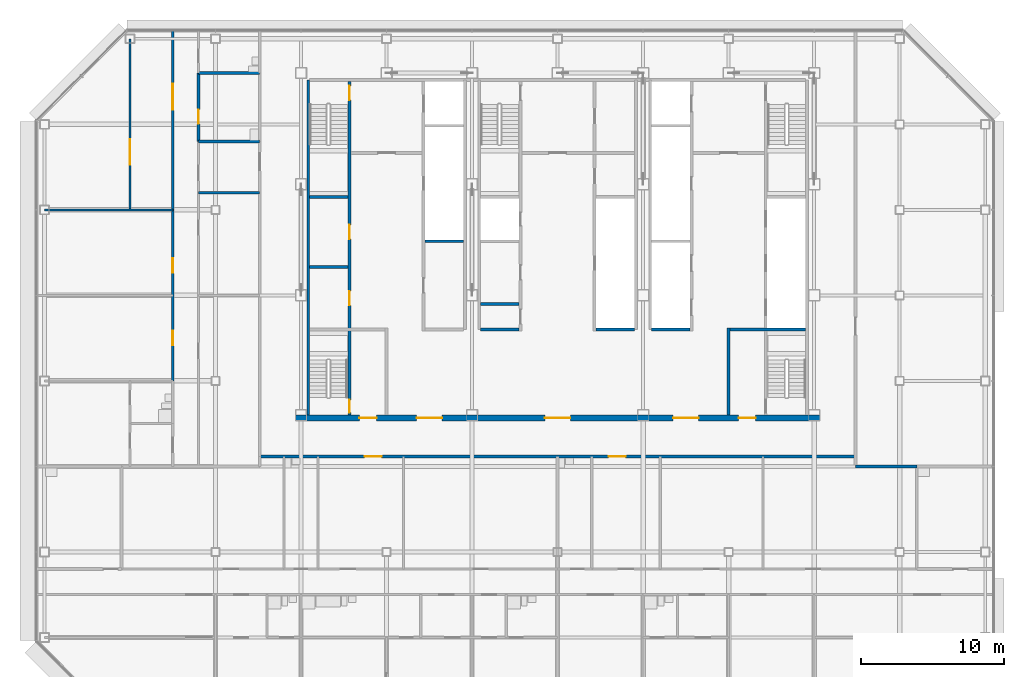
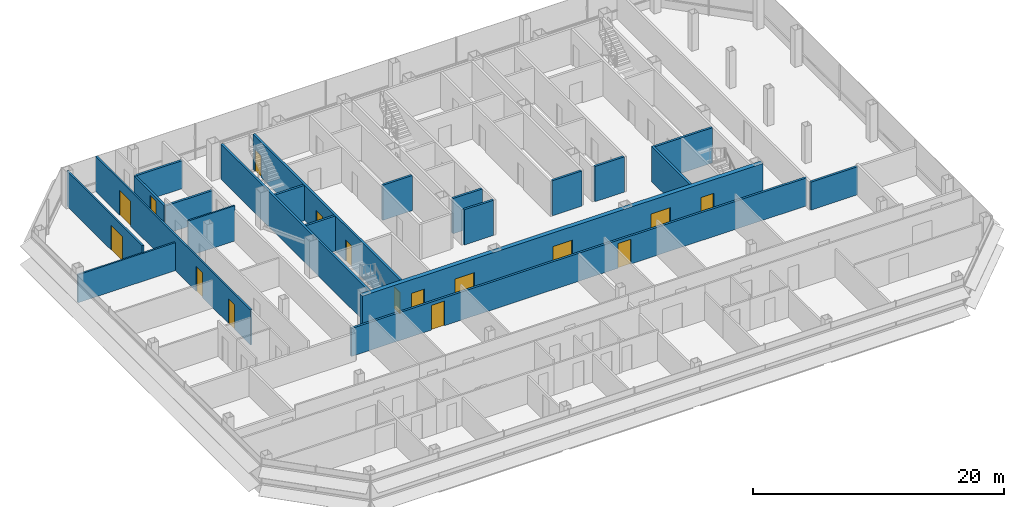
# One storey, part 22 of 27: 21 walls, 16 doors, 16 openings.
"""IFC4 building model written with IfcOpenShell, lengths in metres."""

from ifc_helpers import new_model, si_unit, direction, frame, frame_2d, origin, place, context, subcontext, project, spatial, rectangle, extrude, material, layer, layer_set, type_object, element, fill, save


model = new_model("IFC4")

# Units and contexts
model_context = context("Model", 3, precision=1e-05, world=origin(), true_north=direction((0.0, 1.0)))
body_context = subcontext(model_context, "Body", "Model", "MODEL_VIEW")
ifc_project = project(units=[si_unit("LENGTHUNIT", "METRE"), si_unit("AREAUNIT", "SQUARE_METRE"), si_unit("VOLUMEUNIT", "CUBIC_METRE"), si_unit("PLANEANGLEUNIT", "RADIAN"), si_unit("MASSUNIT", "GRAM", prefix="KILO")], contexts=[model_context])

# Site, building, storey
site_placement = place(None, origin())
site = spatial("IfcSite", under=ifc_project, at=site_placement, CompositionType="ELEMENT")
building_placement = place(site_placement, origin())
building = spatial("IfcBuilding", under=site, at=building_placement, Name="Sorahane Residences", CompositionType="ELEMENT")
storey_placement = place(building_placement, frame((0.0, 0.0, 226.199951171875)))
storey = spatial("IfcBuildingStorey", under=building, at=storey_placement, Name="L53", CompositionType="ELEMENT", Elevation=226.199951171875)

# Walls
ifc_material_1 = material(Name="Concrete C30", Category="concrete")
ifc_layer_1 = layer(ifc_material_1, 0.199951171875)
ifc_layer_set_1 = layer_set([ifc_layer_1], Name="Core face wall 200 EI 180")
wall_type_1 = type_object("IfcWallType", Name="Core face wall 200 EI 180", PredefinedType="SOLIDWALL", material=ifc_layer_set_1)
wall_1_placement = place(storey_placement, frame((6.5, 21.60009765625, 0.0), z_axis=(0.0, 0.0, 1.0), x_axis=(0.0, 1.0, 0.0)))
element("IfcWall", 1, at=wall_1_placement, inside=storey, type_object=wall_type_1, Name="L53 core face wall", PredefinedType="SOLIDWALL", context=body_context, shape_type="SweptSolid", body=[
    extrude(rectangle(XDim=23.5, YDim=0.199951171875, at=frame_2d((11.75, 0.0))), origin(), (0.0, 0.0, 1.0), 3.420166015625),
])
ifc_material_2 = material(Name="Concrete blockwork C20 wall", Category="masonry")
ifc_layer_2 = layer(ifc_material_2, 0.199951171875)
ifc_layer_set_2 = layer_set([ifc_layer_2], Name="Corridor wall 200 EI 120")
wall_type_2 = type_object("IfcWallType", Name="Corridor wall 200 EI 120", PredefinedType="SOLIDWALL", material=ifc_layer_set_2)
wall_2_placement = place(storey_placement, frame((44.89990234375, 18.0, 0.0), z_axis=(0.0, 0.0, 1.0), x_axis=(1.0, 0.0, 0.0)))
element("IfcWall", 2, at=wall_2_placement, inside=storey, type_object=wall_type_2, Name="L53 corridor wall", PredefinedType="SOLIDWALL", context=body_context, shape_type="SweptSolid", body=[
    extrude(rectangle(XDim=4.300048828125, YDim=0.199951171875, at=frame_2d((2.14990234375, 0.0))), origin(), (0.0, 0.0, 1.0), 2.719970703125),
])

# Wall, openings, doors
wall_3_placement = place(storey_placement, frame((3.10009765625, 18.699951171875, 0.0), z_axis=(0.0, 0.0, 1.0), x_axis=(1.0, 0.0, 0.0)))
wall_3 = element("IfcWall", 3, at=wall_3_placement, inside=storey, type_object=wall_type_2, Name="L53 corridor wall", PredefinedType="SOLIDWALL", context=body_context, shape_type="SweptSolid", body=[
    extrude(rectangle(XDim=41.7998046875, YDim=0.199951171875, at=frame_2d((20.89990234375, 0.0))), origin(), (0.0, 0.0, 1.0), 2.719970703125),
])
opening_1_placement = place(wall_3_placement, frame((7.360107421875, 0.0, 0.0)))
opening_1 = element("IfcOpeningElement", 4, at=opening_1_placement, cuts=wall_3, Name="Opening L53-42", PredefinedType="OPENING", context=body_context, shape_type="SweptSolid", body=[
    extrude(rectangle(XDim=1.199951171875, YDim=2.39990234375, at=frame_2d((0.60009765625, 1.199951171875))), frame((0.0, 0.10986328125, 0.0), z_axis=(0.0, -1.0, 0.0), x_axis=(1.0, 0.0, 0.0)), (0.0, 0.0, 1.0), 0.219970703125),
])
opening_2_placement = place(wall_3_placement, frame((24.47998046875, 0.0, 0.0)))
opening_2 = element("IfcOpeningElement", 5, at=opening_2_placement, cuts=wall_3, Name="Opening L53-43", PredefinedType="OPENING", context=body_context, shape_type="SweptSolid", body=[
    extrude(rectangle(XDim=1.199951171875, YDim=2.39990234375, at=frame_2d((0.60009765625, 1.199951171875))), frame((0.0, 0.10986328125, 0.0), z_axis=(0.0, -1.0, 0.0), x_axis=(1.0, 0.0, 0.0)), (0.0, 0.0, 1.0), 0.219970703125),
])
ifc_material_3 = material(Name="Timber veneered fire door", Category="wood")
door_type_1 = type_object("IfcDoorType", Name="Flat entrance door 1200x2400 FD60", OperationType="NOTDEFINED", PredefinedType="DOOR", material=ifc_material_3)
door_1_placement = place(opening_1_placement, frame((1.199951171875, 0.0, 0.0), z_axis=(0.0, 0.0, 1.0), x_axis=(-1.0, 0.0, 0.0)))
door_1 = element("IfcDoor", 6, at=door_1_placement, inside=storey, type_object=door_type_1, Name="Flat entrance door L53-42", OperationType="SINGLE_SWING_LEFT", OverallHeight=2.39990234375, OverallWidth=1.199951171875, PredefinedType="DOOR", context=body_context, shape_type="SweptSolid", body=[
    extrude(rectangle(XDim=1.199951171875, YDim=2.39990234375, at=frame_2d((0.60009765625, 1.199951171875))), frame((0.0, 0.02490234375, 0.0), z_axis=(0.0, -1.0, 0.0), x_axis=(1.0, 0.0, 0.0)), (0.0, 0.0, 1.0), 0.050048828125),
])
fill(opening_1, door_1)
door_2_placement = place(opening_2_placement, frame((1.199951171875, 0.0, 0.0), z_axis=(0.0, 0.0, 1.0), x_axis=(-1.0, 0.0, 0.0)))
door_2 = element("IfcDoor", 7, at=door_2_placement, inside=storey, type_object=door_type_1, Name="Flat entrance door L53-43", OperationType="SINGLE_SWING_RIGHT", OverallHeight=2.39990234375, OverallWidth=1.199951171875, PredefinedType="DOOR", context=body_context, shape_type="SweptSolid", body=[
    extrude(rectangle(XDim=1.199951171875, YDim=2.39990234375, at=frame_2d((0.60009765625, 1.199951171875))), frame((0.0, 0.02490234375, 0.0), z_axis=(0.0, -1.0, 0.0), x_axis=(1.0, 0.0, 0.0)), (0.0, 0.0, 1.0), 0.050048828125),
])
fill(opening_2, door_2)

# Wall
ifc_material_4 = material(Name="Concrete C30", Category="concrete")
ifc_layer_3 = layer(ifc_material_4, 0.199951171875)
ifc_layer_set_3 = layer_set([ifc_layer_3], Name="Front room wall 200 EI 120")
wall_type_3 = type_object("IfcWallType", Name="Front room wall 200 EI 120", PredefinedType="PARTITIONING", material=ifc_layer_set_3)
wall_4_placement = place(storey_placement, frame((36.0, 21.60009765625, 0.0), z_axis=(0.0, 0.0, 1.0), x_axis=(0.0, 1.0, 0.0)))
element("IfcWall", 8, at=wall_4_placement, inside=storey, type_object=wall_type_3, Name="L53 front room wall", PredefinedType="PARTITIONING", context=body_context, shape_type="SweptSolid", body=[
    extrude(rectangle(XDim=6.099853515625, YDim=0.199951171875, at=frame_2d((3.0498046875, 0.0))), origin(), (0.0, 0.0, 1.0), 3.420166015625),
])

# Wall, opening, door
ifc_material_5 = material(Name="Concrete blockwork C20 wall", Category="masonry")
ifc_layer_4 = layer(ifc_material_5, 0.199951171875)
ifc_layer_set_4 = layer_set([ifc_layer_4], Name="Kitchen wall 200 EI 180")
wall_type_4 = type_object("IfcWallType", Name="Kitchen wall 200 EI 180", PredefinedType="SOLIDWALL", material=ifc_layer_set_4)
wall_5_placement = place(storey_placement, frame((-1.199951171875, 40.800048828125, 0.0), z_axis=(0.0, 0.0, 1.0), x_axis=(0.0, 1.0, 0.0)))
wall_5 = element("IfcWall", 9, at=wall_5_placement, inside=storey, type_object=wall_type_4, Name="L53 kitchen wall", PredefinedType="SOLIDWALL", context=body_context, shape_type="SweptSolid", body=[
    extrude(rectangle(XDim=4.800048828125, YDim=0.199951171875, at=frame_2d((2.39990234375, 0.0))), origin(), (0.0, 0.0, 1.0), 2.719970703125),
])
opening_3_placement = place(wall_5_placement, frame((1.239990234375, 0.0, 0.0)))
opening_3 = element("IfcOpeningElement", 10, at=opening_3_placement, cuts=wall_5, Name="Opening L53-33", PredefinedType="OPENING", context=body_context, shape_type="SweptSolid", body=[
    extrude(rectangle(XDim=1.0, YDim=2.39990234375, at=frame_2d((0.5, 1.199951171875))), frame((0.0, 0.10986328125, 0.0), z_axis=(0.0, -1.0, 0.0), x_axis=(1.0, 0.0, 0.0)), (0.0, 0.0, 1.0), 0.219970703125),
])
ifc_material_6 = material(Name="Steel", Category="steel")
door_type_2 = type_object("IfcDoorType", Name="Kitchen door 1000x2400 FD120", OperationType="NOTDEFINED", PredefinedType="DOOR", material=ifc_material_6)
door_3_placement = place(opening_3_placement, frame((1.0, 0.0, 0.0), z_axis=(0.0, 0.0, 1.0), x_axis=(-1.0, 0.0, 0.0)))
door_3 = element("IfcDoor", 11, at=door_3_placement, inside=storey, type_object=door_type_2, Name="Kitchen door L53-33", OperationType="SINGLE_SWING_LEFT", OverallHeight=2.39990234375, OverallWidth=1.0, PredefinedType="DOOR", context=body_context, shape_type="SweptSolid", body=[
    extrude(rectangle(XDim=1.0, YDim=2.39990234375, at=frame_2d((0.5, 1.199951171875))), frame((0.0, 0.02490234375, 0.0), z_axis=(0.0, -1.0, 0.0), x_axis=(1.0, 0.0, 0.0)), (0.0, 0.0, 1.0), 0.050048828125),
])
fill(opening_3, door_3)

# Walls
for number, where, z_axis, x_axis, name in (
    (12, (-1.199951171875, 40.800048828125, 0.0), (0.0, 0.0, 1.0), (1.0, 0.0, 0.0), "L53 kitchen wall"),
    (13, (-1.199951171875, 45.60009765625, 0.0), (0.0, 0.0, 1.0), (1.0, 0.0, 0.0), "L53 kitchen wall"),
):
    element("IfcWall", number, at=place(storey_placement, frame(where, z_axis=z_axis, x_axis=x_axis)), inside=storey, type_object=wall_type_4, Name=name, PredefinedType="SOLIDWALL", context=body_context, shape_type="SweptSolid", body=[
        extrude(rectangle(XDim=4.300048828125, YDim=0.199951171875, at=frame_2d((2.14990234375, 0.0))), origin(), (0.0, 0.0, 1.0), 2.719970703125),
    ])
ifc_material_7 = material(Name="Concrete C30", Category="concrete")
ifc_layer_5 = layer(ifc_material_7, 0.199951171875)
ifc_layer_set_5 = layer_set([ifc_layer_5], Name="Lift shaft wall 200 EI 120")
wall_type_5 = type_object("IfcWallType", Name="Lift shaft wall 200 EI 120", PredefinedType="SOLIDWALL", material=ifc_layer_set_5)
wall_6_placement = place(storey_placement, frame((30.60009765625, 27.60009765625, 0.0), z_axis=(0.0, 0.0, 1.0), x_axis=(1.0, 0.0, 0.0)))
element("IfcWall", 14, at=wall_6_placement, inside=storey, type_object=wall_type_5, Name="L53 lift shaft wall", PredefinedType="SOLIDWALL", context=body_context, shape_type="SweptSolid", body=[
    extrude(rectangle(XDim=2.699951171875, YDim=0.199951171875, at=frame_2d((1.35009765625, 0.0))), origin(), (0.0, 0.0, 1.0), 3.420166015625),
])

# Wall, openings, doors
ifc_material_8 = material(Name="Gypsum board partition on steel studs", Category="steel")
ifc_layer_6 = layer(ifc_material_8, 0.14990234375)
ifc_layer_set_6 = layer_set([ifc_layer_6], Name="Partition 150 EI 90")
wall_type_6 = type_object("IfcWallType", Name="Partition 150 EI 90", PredefinedType="PARTITIONING", material=ifc_layer_set_6)
wall_7_placement = place(storey_placement, frame((-3.0, 24.0, 0.0), z_axis=(0.0, 0.0, 1.0), x_axis=(0.0, 1.0, 0.0)))
wall_7 = element("IfcWall", 15, at=wall_7_placement, inside=storey, type_object=wall_type_6, Name="L53 partition", PredefinedType="PARTITIONING", context=body_context, shape_type="SweptSolid", body=[
    extrude(rectangle(XDim=24.60009765625, YDim=0.14990234375, at=frame_2d((12.300048828125, 0.0))), origin(), (0.0, 0.0, 1.0), 3.420166015625),
])
opening_4_placement = place(wall_7_placement, frame((2.5, 0.0, 0.0)))
opening_4 = element("IfcOpeningElement", 16, at=opening_4_placement, cuts=wall_7, Name="Opening L53-36", PredefinedType="OPENING", context=body_context, shape_type="SweptSolid", body=[
    extrude(rectangle(XDim=1.0, YDim=2.39990234375, at=frame_2d((0.5, 1.199951171875))), frame((0.0, 0.0849609375, 0.0), z_axis=(0.0, -1.0, 0.0), x_axis=(1.0, 0.0, 0.0)), (0.0, 0.0, 1.0), 0.169921875),
])
opening_5_placement = place(wall_7_placement, frame((7.60009765625, 0.0, 0.0)))
opening_5 = element("IfcOpeningElement", 17, at=opening_5_placement, cuts=wall_7, Name="Opening L53-37", PredefinedType="OPENING", context=body_context, shape_type="SweptSolid", body=[
    extrude(rectangle(XDim=1.0, YDim=2.39990234375, at=frame_2d((0.5, 1.199951171875))), frame((0.0, 0.0849609375, 0.0), z_axis=(0.0, -1.0, 0.0), x_axis=(1.0, 0.0, 0.0)), (0.0, 0.0, 1.0), 0.169921875),
])
opening_6_placement = place(wall_7_placement, frame((19.0400390625, 0.0, 0.0)))
opening_6 = element("IfcOpeningElement", 18, at=opening_6_placement, cuts=wall_7, Name="Opening L53-38", PredefinedType="OPENING", context=body_context, shape_type="SweptSolid", body=[
    extrude(rectangle(XDim=1.800048828125, YDim=2.39990234375, at=frame_2d((0.89990234375, 1.199951171875))), frame((0.0, 0.0849609375, 0.0), z_axis=(0.0, -1.0, 0.0), x_axis=(1.0, 0.0, 0.0)), (0.0, 0.0, 1.0), 0.169921875),
])
ifc_material_9 = material(Name="Timber veneered fire door", Category="wood")
door_type_3 = type_object("IfcDoorType", Name="Double door 1800x2400 FD30", OperationType="NOTDEFINED", PredefinedType="DOOR", material=ifc_material_9)
door_4_placement = place(opening_6_placement, origin())
door_4 = element("IfcDoor", 19, at=door_4_placement, inside=storey, type_object=door_type_3, Name="Double door L53-38", OperationType="SINGLE_SWING_LEFT", OverallHeight=2.39990234375, OverallWidth=1.800048828125, PredefinedType="DOOR", context=body_context, shape_type="SweptSolid", body=[
    extrude(rectangle(XDim=1.800048828125, YDim=2.39990234375, at=frame_2d((0.89990234375, 1.199951171875))), frame((0.0, 0.02490234375, 0.0), z_axis=(0.0, -1.0, 0.0), x_axis=(1.0, 0.0, 0.0)), (0.0, 0.0, 1.0), 0.050048828125),
])
fill(opening_6, door_4)
ifc_material_10 = material(Name="Timber veneered fire door", Category="wood")
door_type_4 = type_object("IfcDoorType", Name="Room door 1000x2400 FD30", OperationType="NOTDEFINED", PredefinedType="DOOR", material=ifc_material_10)
door_5_placement = place(opening_4_placement, origin())
door_5 = element("IfcDoor", 20, at=door_5_placement, inside=storey, type_object=door_type_4, Name="Room door L53-36", OperationType="SINGLE_SWING_RIGHT", OverallHeight=2.39990234375, OverallWidth=1.0, PredefinedType="DOOR", context=body_context, shape_type="SweptSolid", body=[
    extrude(rectangle(XDim=1.0, YDim=2.39990234375, at=frame_2d((0.5, 1.199951171875))), frame((0.0, 0.02490234375, 0.0), z_axis=(0.0, -1.0, 0.0), x_axis=(1.0, 0.0, 0.0)), (0.0, 0.0, 1.0), 0.050048828125),
])
fill(opening_4, door_5)
door_6_placement = place(opening_5_placement, origin())
door_6 = element("IfcDoor", 21, at=door_6_placement, inside=storey, type_object=door_type_4, Name="Room door L53-37", OperationType="SINGLE_SWING_RIGHT", OverallHeight=2.39990234375, OverallWidth=1.0, PredefinedType="DOOR", context=body_context, shape_type="SweptSolid", body=[
    extrude(rectangle(XDim=1.0, YDim=2.39990234375, at=frame_2d((0.5, 1.199951171875))), frame((0.0, 0.02490234375, 0.0), z_axis=(0.0, -1.0, 0.0), x_axis=(1.0, 0.0, 0.0)), (0.0, 0.0, 1.0), 0.050048828125),
])
fill(opening_5, door_6)

# Wall, opening, door
wall_8_placement = place(storey_placement, frame((-6.0, 36.0, 0.0), z_axis=(0.0, 0.0, 1.0), x_axis=(0.0, 1.0, 0.0)))
wall_8 = element("IfcWall", 22, at=wall_8_placement, inside=storey, type_object=wall_type_6, Name="L53 partition", PredefinedType="PARTITIONING", context=body_context, shape_type="SweptSolid", body=[
    extrude(rectangle(XDim=12.0, YDim=0.14990234375, at=frame_2d((6.0, 0.0))), origin(), (0.0, 0.0, 1.0), 3.420166015625),
])
opening_7_placement = place(wall_8_placement, frame((3.159912109375, 0.0, 0.0)))
opening_7 = element("IfcOpeningElement", 23, at=opening_7_placement, cuts=wall_8, Name="Opening L53-41", PredefinedType="OPENING", context=body_context, shape_type="SweptSolid", body=[
    extrude(rectangle(XDim=1.800048828125, YDim=2.39990234375, at=frame_2d((0.89990234375, 1.199951171875))), frame((0.0, 0.0849609375, 0.0), z_axis=(0.0, -1.0, 0.0), x_axis=(1.0, 0.0, 0.0)), (0.0, 0.0, 1.0), 0.169921875),
])
door_7_placement = place(opening_7_placement, origin())
door_7 = element("IfcDoor", 24, at=door_7_placement, inside=storey, type_object=door_type_3, Name="Double door L53-41", OperationType="SINGLE_SWING_LEFT", OverallHeight=2.39990234375, OverallWidth=1.800048828125, PredefinedType="DOOR", context=body_context, shape_type="SweptSolid", body=[
    extrude(rectangle(XDim=1.800048828125, YDim=2.39990234375, at=frame_2d((0.89990234375, 1.199951171875))), frame((0.0, 0.02490234375, 0.0), z_axis=(0.0, -1.0, 0.0), x_axis=(1.0, 0.0, 0.0)), (0.0, 0.0, 1.0), 0.050048828125),
])
fill(opening_7, door_7)

# Walls
wall_9_placement = place(storey_placement, frame((-12.0, 36.0, 0.0), z_axis=(0.0, 0.0, 1.0), x_axis=(1.0, 0.0, 0.0)))
element("IfcWall", 25, at=wall_9_placement, inside=storey, type_object=wall_type_6, Name="L53 partition", PredefinedType="PARTITIONING", context=body_context, shape_type="SweptSolid", body=[
    extrude(rectangle(XDim=9.0, YDim=0.14990234375, at=frame_2d((4.5, 0.0))), origin(), (0.0, 0.0, 1.0), 2.719970703125),
])
wall_10_placement = place(storey_placement, frame((-1.199951171875, 37.199951171875, 0.0), z_axis=(0.0, 0.0, 1.0), x_axis=(1.0, 0.0, 0.0)))
element("IfcWall", 26, at=wall_10_placement, inside=storey, type_object=wall_type_6, Name="L53 partition", PredefinedType="PARTITIONING", context=body_context, shape_type="SweptSolid", body=[
    extrude(rectangle(XDim=4.300048828125, YDim=0.14990234375, at=frame_2d((2.14990234375, 0.0))), origin(), (0.0, 0.0, 1.0), 3.420166015625),
])
ifc_material_11 = material(Name="Concrete C30", Category="concrete")
ifc_layer_7 = layer(ifc_material_11, 0.199951171875)
ifc_layer_set_7 = layer_set([ifc_layer_7], Name="Riser shaft wall 200 EI 120")
wall_type_7 = type_object("IfcWallType", Name="Riser shaft wall 200 EI 120", PredefinedType="SOLIDWALL", material=ifc_layer_set_7)
for number, where, z_axis, x_axis, name in (
    (27, (26.699951171875, 27.60009765625, 0.0), (0.0, 0.0, 1.0), (1.0, 0.0, 0.0), "L53 riser wall"),
    (28, (14.699951171875, 33.800048828125, 0.0), (0.0, 0.0, 1.0), (1.0, 0.0, 0.0), "L53 riser wall"),
):
    element("IfcWall", number, at=place(storey_placement, frame(where, z_axis=z_axis, x_axis=x_axis)), inside=storey, type_object=wall_type_7, Name=name, PredefinedType="SOLIDWALL", context=body_context, shape_type="SweptSolid", body=[
        extrude(rectangle(XDim=2.699951171875, YDim=0.199951171875, at=frame_2d((1.35009765625, 0.0))), origin(), (0.0, 0.0, 1.0), 3.420166015625),
    ])
ifc_material_12 = material(Name="Concrete C30", Category="concrete")
ifc_layer_8 = layer(ifc_material_12, 0.199951171875)
ifc_layer_set_8 = layer_set([ifc_layer_8], Name="Service room partition 200 EI 60")
wall_type_8 = type_object("IfcWallType", Name="Service room partition 200 EI 60", PredefinedType="PARTITIONING", material=ifc_layer_set_8)
for number, where, z_axis, x_axis, name in (
    (29, (18.60009765625, 27.60009765625, 0.0), (0.0, 0.0, 1.0), (1.0, 0.0, 0.0), "L53 service room wall"),
    (30, (18.60009765625, 29.39990234375, 0.0), (0.0, 0.0, 1.0), (1.0, 0.0, 0.0), "L53 service room wall"),
    (31, (6.60009765625, 32.0, 0.0), (0.0, 0.0, 1.0), (1.0, 0.0, 0.0), "L53 service room wall"),
):
    element("IfcWall", number, at=place(storey_placement, frame(where, z_axis=z_axis, x_axis=x_axis)), inside=storey, type_object=wall_type_8, Name=name, PredefinedType="PARTITIONING", context=body_context, shape_type="SweptSolid", body=[
        extrude(rectangle(XDim=2.699951171875, YDim=0.199951171875, at=frame_2d((1.35009765625, 0.0))), origin(), (0.0, 0.0, 1.0), 3.420166015625),
    ])

# Wall, openings, doors
ifc_material_13 = material(Name="Concrete C30", Category="concrete")
ifc_layer_9 = layer(ifc_material_13, 0.199951171875)
ifc_layer_set_9 = layer_set([ifc_layer_9], Name="Stair enclosure wall 200 EI 120")
wall_type_9 = type_object("IfcWallType", Name="Stair enclosure wall 200 EI 120", PredefinedType="SOLIDWALL", material=ifc_layer_set_9)
wall_11_placement = place(storey_placement, frame((9.39990234375, 21.60009765625, 0.0), z_axis=(0.0, 0.0, 1.0), x_axis=(0.0, 1.0, 0.0)))
wall_11 = element("IfcWall", 32, at=wall_11_placement, inside=storey, type_object=wall_type_9, Name="L53 stair enclosure wall", PredefinedType="SOLIDWALL", context=body_context, shape_type="SweptSolid", body=[
    extrude(rectangle(XDim=23.39990234375, YDim=0.199951171875, at=frame_2d((11.699951171875, 0.0))), origin(), (0.0, 0.0, 1.0), 3.420166015625),
])
opening_8_placement = place(wall_11_placement, frame((7.699951171875, 0.0, 0.0)))
opening_8 = element("IfcOpeningElement", 33, at=opening_8_placement, cuts=wall_11, Name="Opening L53-C19", PredefinedType="OPENING", context=body_context, shape_type="SweptSolid", body=[
    extrude(rectangle(XDim=1.0, YDim=2.10009765625, at=frame_2d((0.5, 1.050048828125))), frame((0.0, 0.10986328125, 0.0), z_axis=(0.0, -1.0, 0.0), x_axis=(1.0, 0.0, 0.0)), (0.0, 0.0, 1.0), 0.219970703125),
])
opening_9_placement = place(wall_11_placement, frame((12.35009765625, 0.0, 0.0)))
opening_9 = element("IfcOpeningElement", 34, at=opening_9_placement, cuts=wall_11, Name="Opening L53-C20", PredefinedType="OPENING", context=body_context, shape_type="SweptSolid", body=[
    extrude(rectangle(XDim=1.0, YDim=2.10009765625, at=frame_2d((0.5, 1.050048828125))), frame((0.0, 0.10986328125, 0.0), z_axis=(0.0, -1.0, 0.0), x_axis=(1.0, 0.0, 0.0)), (0.0, 0.0, 1.0), 0.219970703125),
])
opening_10_placement = place(wall_11_placement, frame((22.10009765625, 0.0, 0.0)))
opening_10 = element("IfcOpeningElement", 35, at=opening_10_placement, cuts=wall_11, Name="Opening L53-C21", PredefinedType="OPENING", context=body_context, shape_type="SweptSolid", body=[
    extrude(rectangle(XDim=1.0, YDim=2.10009765625, at=frame_2d((0.5, 1.050048828125))), frame((0.0, 0.10986328125, 0.0), z_axis=(0.0, -1.0, 0.0), x_axis=(1.0, 0.0, 0.0)), (0.0, 0.0, 1.0), 0.219970703125),
])
opening_11_placement = place(wall_11_placement, frame((0.175048828125, 0.0, 0.0)))
opening_11 = element("IfcOpeningElement", 36, at=opening_11_placement, cuts=wall_11, Name="Opening L53-C24", PredefinedType="OPENING", context=body_context, shape_type="SweptSolid", body=[
    extrude(rectangle(XDim=0.89990234375, YDim=2.10009765625, at=frame_2d((0.449951171875, 1.050048828125))), frame((0.0, 0.10986328125, 0.0), z_axis=(0.0, -1.0, 0.0), x_axis=(1.0, 0.0, 0.0)), (0.0, 0.0, 1.0), 0.219970703125),
])
ifc_material_14 = material(Name="Steel", Category="steel")
door_type_5 = type_object("IfcDoorType", Name="Service room door 1000x2100 FD60", OperationType="NOTDEFINED", PredefinedType="DOOR", material=ifc_material_14)
door_8_placement = place(opening_8_placement, origin())
door_8 = element("IfcDoor", 37, at=door_8_placement, inside=storey, type_object=door_type_5, Name="Service room door Library L53", OperationType="SINGLE_SWING_LEFT", OverallHeight=2.10009765625, OverallWidth=1.0, PredefinedType="DOOR", context=body_context, shape_type="SweptSolid", body=[
    extrude(rectangle(XDim=1.0, YDim=2.10009765625, at=frame_2d((0.5, 1.050048828125))), frame((0.0, 0.02490234375, 0.0), z_axis=(0.0, -1.0, 0.0), x_axis=(1.0, 0.0, 0.0)), (0.0, 0.0, 1.0), 0.050048828125),
])
fill(opening_8, door_8)
door_9_placement = place(opening_9_placement, origin())
door_9 = element("IfcDoor", 38, at=door_9_placement, inside=storey, type_object=door_type_5, Name="Service room door Quiet room L53", OperationType="SINGLE_SWING_LEFT", OverallHeight=2.10009765625, OverallWidth=1.0, PredefinedType="DOOR", context=body_context, shape_type="SweptSolid", body=[
    extrude(rectangle(XDim=1.0, YDim=2.10009765625, at=frame_2d((0.5, 1.050048828125))), frame((0.0, 0.02490234375, 0.0), z_axis=(0.0, -1.0, 0.0), x_axis=(1.0, 0.0, 0.0)), (0.0, 0.0, 1.0), 0.050048828125),
])
fill(opening_9, door_9)
ifc_material_15 = material(Name="Steel", Category="steel")
door_type_6 = type_object("IfcDoorType", Name="Stair door 1000x2100 FD120", OperationType="NOTDEFINED", PredefinedType="DOOR", material=ifc_material_15)
door_10_placement = place(opening_10_placement, origin())
door_10 = element("IfcDoor", 39, at=door_10_placement, inside=storey, type_object=door_type_6, Name="Stair door S1 L53", OperationType="SINGLE_SWING_LEFT", OverallHeight=2.10009765625, OverallWidth=1.0, PredefinedType="DOOR", context=body_context, shape_type="SweptSolid", body=[
    extrude(rectangle(XDim=1.0, YDim=2.10009765625, at=frame_2d((0.5, 1.050048828125))), frame((0.0, 0.02490234375, 0.0), z_axis=(0.0, -1.0, 0.0), x_axis=(1.0, 0.0, 0.0)), (0.0, 0.0, 1.0), 0.050048828125),
])
fill(opening_10, door_10)
ifc_material_16 = material(Name="Steel", Category="steel")
door_type_7 = type_object("IfcDoorType", Name="Stair door 900x2100 FD120", OperationType="NOTDEFINED", PredefinedType="DOOR", material=ifc_material_16)
door_11_placement = place(opening_11_placement, origin())
door_11 = element("IfcDoor", 40, at=door_11_placement, inside=storey, type_object=door_type_7, Name="Stair door S4 L53", OperationType="SINGLE_SWING_LEFT", OverallHeight=2.10009765625, OverallWidth=0.89990234375, PredefinedType="DOOR", context=body_context, shape_type="SweptSolid", body=[
    extrude(rectangle(XDim=0.89990234375, YDim=2.10009765625, at=frame_2d((0.449951171875, 1.050048828125))), frame((0.0, 0.02490234375, 0.0), z_axis=(0.0, -1.0, 0.0), x_axis=(1.0, 0.0, 0.0)), (0.0, 0.0, 1.0), 0.050048828125),
])
fill(opening_11, door_11)

# Walls
wall_12_placement = place(storey_placement, frame((36.10009765625, 27.60009765625, 0.0), z_axis=(0.0, 0.0, 1.0), x_axis=(1.0, 0.0, 0.0)))
element("IfcWall", 41, at=wall_12_placement, inside=storey, type_object=wall_type_9, Name="L53 stair enclosure wall", PredefinedType="SOLIDWALL", context=body_context, shape_type="SweptSolid", body=[
    extrude(rectangle(XDim=5.2998046875, YDim=0.199951171875, at=frame_2d((2.64990234375, 0.0))), origin(), (0.0, 0.0, 1.0), 3.420166015625),
])
wall_13_placement = place(storey_placement, frame((6.60009765625, 36.89990234375, 0.0), z_axis=(0.0, 0.0, 1.0), x_axis=(1.0, 0.0, 0.0)))
element("IfcWall", 42, at=wall_13_placement, inside=storey, type_object=wall_type_9, Name="L53 stair enclosure wall", PredefinedType="SOLIDWALL", context=body_context, shape_type="SweptSolid", body=[
    extrude(rectangle(XDim=2.699951171875, YDim=0.199951171875, at=frame_2d((1.35009765625, 0.0))), origin(), (0.0, 0.0, 1.0), 3.420166015625),
])

# Wall, openings, doors
ifc_material_17 = material(Name="Concrete C30", Category="concrete")
ifc_layer_10 = layer(ifc_material_17, 0.39990234375)
ifc_layer_set_10 = layer_set([ifc_layer_10], Name="Waiting hall wall 400 EI 120")
wall_type_10 = type_object("IfcWallType", Name="Waiting hall wall 400 EI 120", PredefinedType="SOLIDWALL", material=ifc_layer_set_10)
wall_14_placement = place(storey_placement, frame((5.60009765625, 21.39990234375, 0.0), z_axis=(0.0, 0.0, 1.0), x_axis=(1.0, 0.0, 0.0)))
wall_14 = element("IfcWall", 43, at=wall_14_placement, inside=storey, type_object=wall_type_10, Name="L53 waiting hall wall", PredefinedType="SOLIDWALL", context=body_context, shape_type="SweptSolid", body=[
    extrude(rectangle(XDim=36.7998046875, YDim=0.39990234375, at=frame_2d((18.39990234375, 0.0))), origin(), (0.0, 0.0, 1.0), 3.420166015625),
])
opening_12_placement = place(wall_14_placement, frame((8.5, 0.0, 0.0)))
opening_12 = element("IfcOpeningElement", 44, at=opening_12_placement, cuts=wall_14, Name="Opening L53-C01", PredefinedType="OPENING", context=body_context, shape_type="SweptSolid", body=[
    extrude(rectangle(XDim=1.800048828125, YDim=2.10009765625, at=frame_2d((0.89990234375, 1.050048828125))), frame((0.0, 0.2099609375, 0.0), z_axis=(0.0, -1.0, 0.0), x_axis=(1.0, 0.0, 0.0)), (0.0, 0.0, 1.0), 0.419921875),
])
opening_13_placement = place(wall_14_placement, frame((17.5, 0.0, 0.0)))
opening_13 = element("IfcOpeningElement", 45, at=opening_13_placement, cuts=wall_14, Name="Opening L53-C02", PredefinedType="OPENING", context=body_context, shape_type="SweptSolid", body=[
    extrude(rectangle(XDim=1.800048828125, YDim=2.10009765625, at=frame_2d((0.89990234375, 1.050048828125))), frame((0.0, 0.2099609375, 0.0), z_axis=(0.0, -1.0, 0.0), x_axis=(1.0, 0.0, 0.0)), (0.0, 0.0, 1.0), 0.419921875),
])
opening_14_placement = place(wall_14_placement, frame((26.5, 0.0, 0.0)))
opening_14 = element("IfcOpeningElement", 46, at=opening_14_placement, cuts=wall_14, Name="Opening L53-C03", PredefinedType="OPENING", context=body_context, shape_type="SweptSolid", body=[
    extrude(rectangle(XDim=1.800048828125, YDim=2.10009765625, at=frame_2d((0.89990234375, 1.050048828125))), frame((0.0, 0.2099609375, 0.0), z_axis=(0.0, -1.0, 0.0), x_axis=(1.0, 0.0, 0.0)), (0.0, 0.0, 1.0), 0.419921875),
])
opening_15_placement = place(wall_14_placement, frame((4.5, 0.0, 0.0)))
opening_15 = element("IfcOpeningElement", 47, at=opening_15_placement, cuts=wall_14, Name="Opening L53-C04", PredefinedType="OPENING", context=body_context, shape_type="SweptSolid", body=[
    extrude(rectangle(XDim=1.199951171875, YDim=2.10009765625, at=frame_2d((0.60009765625, 1.050048828125))), frame((0.0, 0.2099609375, 0.0), z_axis=(0.0, -1.0, 0.0), x_axis=(1.0, 0.0, 0.0)), (0.0, 0.0, 1.0), 0.419921875),
])
opening_16_placement = place(wall_14_placement, frame((31.10009765625, 0.0, 0.0)))
opening_16 = element("IfcOpeningElement", 48, at=opening_16_placement, cuts=wall_14, Name="Opening L53-C05", PredefinedType="OPENING", context=body_context, shape_type="SweptSolid", body=[
    extrude(rectangle(XDim=1.199951171875, YDim=2.10009765625, at=frame_2d((0.60009765625, 1.050048828125))), frame((0.0, 0.2099609375, 0.0), z_axis=(0.0, -1.0, 0.0), x_axis=(1.0, 0.0, 0.0)), (0.0, 0.0, 1.0), 0.419921875),
])
ifc_material_18 = material(Name="Steel", Category="steel")
door_type_8 = type_object("IfcDoorType", Name="Stair front room door 1200x2100 FD120", OperationType="NOTDEFINED", PredefinedType="DOOR", material=ifc_material_18)
door_12_placement = place(opening_15_placement, frame((1.199951171875, 0.0, 0.0), z_axis=(0.0, 0.0, 1.0), x_axis=(-1.0, 0.0, 0.0)))
door_12 = element("IfcDoor", 49, at=door_12_placement, inside=storey, type_object=door_type_8, Name="Stair front room door Stair S4 front room L53", OperationType="SINGLE_SWING_LEFT", OverallHeight=2.10009765625, OverallWidth=1.199951171875, PredefinedType="DOOR", context=body_context, shape_type="SweptSolid", body=[
    extrude(rectangle(XDim=1.199951171875, YDim=2.10009765625, at=frame_2d((0.60009765625, 1.050048828125))), frame((0.0, 0.02490234375, 0.0), z_axis=(0.0, -1.0, 0.0), x_axis=(1.0, 0.0, 0.0)), (0.0, 0.0, 1.0), 0.050048828125),
])
fill(opening_15, door_12)
door_13_placement = place(opening_16_placement, frame((1.199951171875, 0.0, 0.0), z_axis=(0.0, 0.0, 1.0), x_axis=(-1.0, 0.0, 0.0)))
door_13 = element("IfcDoor", 50, at=door_13_placement, inside=storey, type_object=door_type_8, Name="Stair front room door Stair S5 front room L53", OperationType="SINGLE_SWING_LEFT", OverallHeight=2.10009765625, OverallWidth=1.199951171875, PredefinedType="DOOR", context=body_context, shape_type="SweptSolid", body=[
    extrude(rectangle(XDim=1.199951171875, YDim=2.10009765625, at=frame_2d((0.60009765625, 1.050048828125))), frame((0.0, 0.02490234375, 0.0), z_axis=(0.0, -1.0, 0.0), x_axis=(1.0, 0.0, 0.0)), (0.0, 0.0, 1.0), 0.050048828125),
])
fill(opening_16, door_13)
ifc_material_19 = material(Name="Steel", Category="steel")
door_type_9 = type_object("IfcDoorType", Name="Waiting hall door 1800x2100 FD60", OperationType="NOTDEFINED", PredefinedType="DOOR", material=ifc_material_19)
door_14_placement = place(opening_12_placement, frame((1.800048828125, 0.0, 0.0), z_axis=(0.0, 0.0, 1.0), x_axis=(-1.0, 0.0, 0.0)))
door_14 = element("IfcDoor", 51, at=door_14_placement, inside=storey, type_object=door_type_9, Name="Waiting hall door Residents' waiting hall L53", OperationType="SINGLE_SWING_LEFT", OverallHeight=2.10009765625, OverallWidth=1.800048828125, PredefinedType="DOOR", context=body_context, shape_type="SweptSolid", body=[
    extrude(rectangle(XDim=1.800048828125, YDim=2.10009765625, at=frame_2d((0.89990234375, 1.050048828125))), frame((0.0, 0.02490234375, 0.0), z_axis=(0.0, -1.0, 0.0), x_axis=(1.0, 0.0, 0.0)), (0.0, 0.0, 1.0), 0.050048828125),
])
fill(opening_12, door_14)
door_15_placement = place(opening_13_placement, frame((1.800048828125, 0.0, 0.0), z_axis=(0.0, 0.0, 1.0), x_axis=(-1.0, 0.0, 0.0)))
door_15 = element("IfcDoor", 52, at=door_15_placement, inside=storey, type_object=door_type_9, Name="Waiting hall door Residents' waiting hall L53", OperationType="SINGLE_SWING_LEFT", OverallHeight=2.10009765625, OverallWidth=1.800048828125, PredefinedType="DOOR", context=body_context, shape_type="SweptSolid", body=[
    extrude(rectangle(XDim=1.800048828125, YDim=2.10009765625, at=frame_2d((0.89990234375, 1.050048828125))), frame((0.0, 0.02490234375, 0.0), z_axis=(0.0, -1.0, 0.0), x_axis=(1.0, 0.0, 0.0)), (0.0, 0.0, 1.0), 0.050048828125),
])
fill(opening_13, door_15)
door_16_placement = place(opening_14_placement, frame((1.800048828125, 0.0, 0.0), z_axis=(0.0, 0.0, 1.0), x_axis=(-1.0, 0.0, 0.0)))
door_16 = element("IfcDoor", 53, at=door_16_placement, inside=storey, type_object=door_type_9, Name="Waiting hall door Residents' waiting hall L53", OperationType="SINGLE_SWING_LEFT", OverallHeight=2.10009765625, OverallWidth=1.800048828125, PredefinedType="DOOR", context=body_context, shape_type="SweptSolid", body=[
    extrude(rectangle(XDim=1.800048828125, YDim=2.10009765625, at=frame_2d((0.89990234375, 1.050048828125))), frame((0.0, 0.02490234375, 0.0), z_axis=(0.0, -1.0, 0.0), x_axis=(1.0, 0.0, 0.0)), (0.0, 0.0, 1.0), 0.050048828125),
])
fill(opening_14, door_16)

save(model, "model.ifc")
